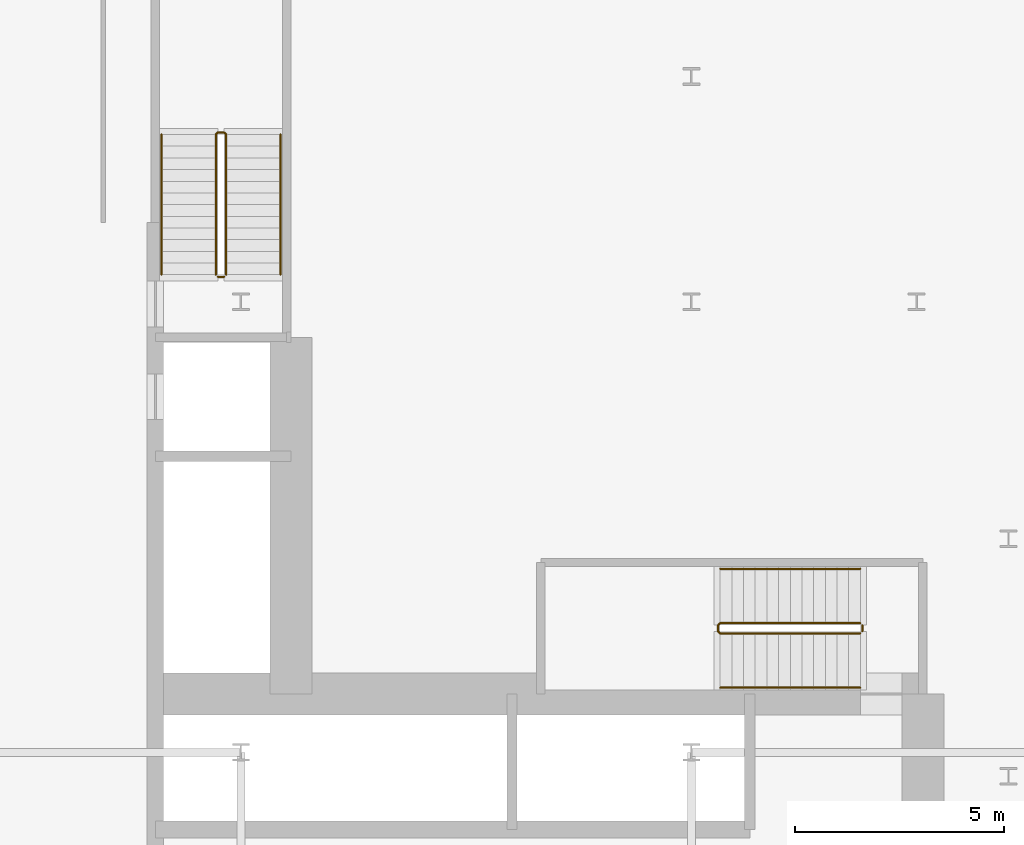
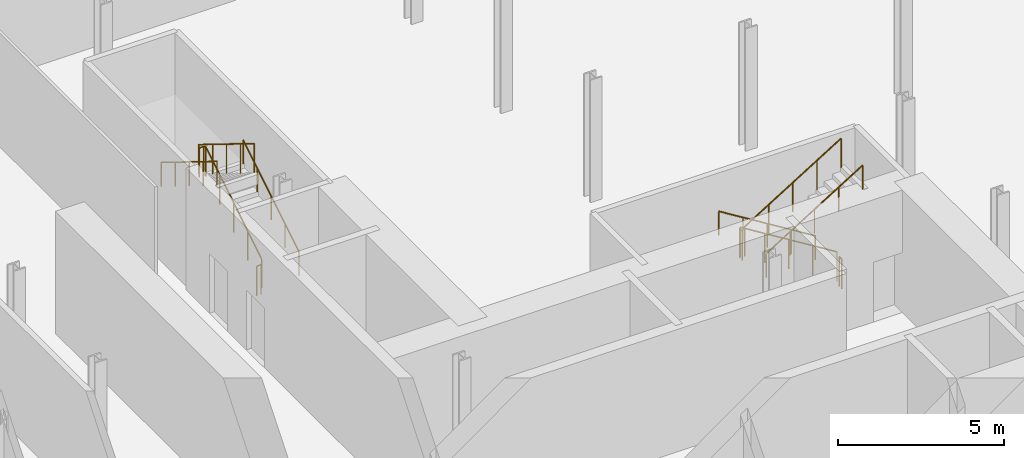
# One storey, part 40 of 47: 8 railings.
"""IFC4 building model written with IfcOpenShell, lengths in metres."""

from ifc_helpers import new_model, si_unit, direction, frame, origin, origin_2d, place, context, subcontext, project, spatial, circle, extrude, material, type_object, element, save


model = new_model("IFC4")

# Units and contexts
model_context = context("Model", 3, precision=1e-05, world=origin(), true_north=direction((0.0, 1.0)))
body_context = subcontext(model_context, "Body", "Model", "MODEL_VIEW")
ifc_project = project(units=[si_unit("LENGTHUNIT", "METRE"), si_unit("AREAUNIT", "SQUARE_METRE"), si_unit("VOLUMEUNIT", "CUBIC_METRE"), si_unit("PLANEANGLEUNIT", "RADIAN"), si_unit("MASSUNIT", "GRAM", prefix="KILO")], contexts=[model_context])

# Site, building, storey
site_placement = place(None, origin())
site = spatial("IfcSite", under=ifc_project, at=site_placement, CompositionType="ELEMENT")
building_placement = place(site_placement, origin())
building = spatial("IfcBuilding", under=site, at=building_placement, Name="Kheshtan School and Residences Tower", CompositionType="ELEMENT")
storey_placement = place(building_placement, frame((0.0, 0.0, 12.5)))
storey = spatial("IfcBuildingStorey", under=building, at=storey_placement, Name="L02", CompositionType="ELEMENT", Elevation=12.5)

# Railings
ifc_material_1 = material(Name="Stainless steel balustrade", Category="steel")
railing_type_1 = type_object("IfcRailingType", Name="Stair guard 1100", PredefinedType="GUARDRAIL", material=ifc_material_1)
railing_1_placement = place(storey_placement, frame((51.64990234375, 37.89990234375, 0.173095703125)))
element("IfcRailing", 1, at=railing_1_placement, inside=storey, type_object=railing_type_1, Name="L02 ST1 stair guard 1", PredefinedType="GUARDRAIL", context=body_context, shape_type="SweptSolid", body=[
    extrude(circle(Radius=0.02392578125, at=origin_2d()), frame((0.0, 0.0, 1.076171875), z_axis=(-0.850606129759, 0.0, 0.525803396734), x_axis=(0.0, -1.0, 0.0)), (0.0, 0.0, 1.0), 3.949951171875),
    extrude(circle(Radius=0.02392578125, at=origin_2d()), frame((-3.35986328125, 0.0, 3.15283203125), z_axis=(-0.708833529934, -0.705375805398, 0.0), x_axis=(0.705375805398, -0.708833529934, 0.0)), (0.0, 0.0, 1.0), 0.070556640625),
    extrude(circle(Radius=0.02392578125, at=origin_2d()), frame((-3.409912109375, -0.0498046875, 3.15283203125), z_axis=(0.0, -1.0, 0.0), x_axis=(1.0, 0.0, 0.0)), (0.0, 0.0, 1.0), 0.150146484375),
    extrude(circle(Radius=0.02392578125, at=origin_2d()), frame((-3.409912109375, -0.199951171875, 3.15283203125), z_axis=(0.267629722418, -0.267629722418, 0.925607186314), x_axis=(0.707106781187, 0.707106781187, 0.0)), (0.0, 0.0, 1.0), 0.18701171875),
    extrude(circle(Radius=0.02392578125, at=origin_2d()), frame((-3.35986328125, -0.25, 3.326171875), z_axis=(0.850606129759, 0.0, 0.525803396734), x_axis=(0.0, 1.0, 0.0)), (0.0, 0.0, 1.0), 3.949951171875),
    extrude(circle(Radius=0.02099609375, at=origin_2d()), origin(), (0.0, 0.0, 1.0), 1.052001953125),
    extrude(circle(Radius=0.02099609375, at=origin_2d()), frame((-0.83984375, 0.0, 0.519287109375)), (0.0, 0.0, 1.0), 1.052001953125),
    extrude(circle(Radius=0.02099609375, at=origin_2d()), frame((-1.679931640625, 0.0, 1.03857421875)), (0.0, 0.0, 1.0), 1.052001953125),
    extrude(circle(Radius=0.02099609375, at=origin_2d()), frame((-2.52001953125, 0.0, 1.5576171875)), (0.0, 0.0, 1.0), 1.052001953125),
    extrude(circle(Radius=0.02099609375, at=origin_2d()), frame((-3.35986328125, 0.0, 2.076904296875)), (0.0, 0.0, 1.0), 1.052001953125),
    extrude(circle(Radius=0.02099609375, at=origin_2d()), frame((-3.409912109375, -0.0498046875, 2.076904296875)), (0.0, 0.0, 1.0), 1.052001953125),
    extrude(circle(Radius=0.02099609375, at=origin_2d()), frame((-3.409912109375, -0.199951171875, 2.076904296875)), (0.0, 0.0, 1.0), 1.052001953125),
    extrude(circle(Radius=0.02099609375, at=origin_2d()), frame((-3.35986328125, -0.25, 2.25)), (0.0, 0.0, 1.0), 1.052001953125),
    extrude(circle(Radius=0.02099609375, at=origin_2d()), frame((-2.52001953125, -0.25, 2.769287109375)), (0.0, 0.0, 1.0), 1.052001953125),
    extrude(circle(Radius=0.02099609375, at=origin_2d()), frame((-1.679931640625, -0.25, 3.28857421875)), (0.0, 0.0, 1.0), 1.052001953125),
    extrude(circle(Radius=0.02099609375, at=origin_2d()), frame((-0.83984375, -0.25, 3.8076171875)), (0.0, 0.0, 1.0), 1.052001953125),
    extrude(circle(Radius=0.02099609375, at=origin_2d()), frame((0.0, -0.25, 4.326904296875)), (0.0, 0.0, 1.0), 1.052001953125),
])
railing_2_placement = place(storey_placement, frame((51.699951171875, 37.85009765625, 0.0)))
element("IfcRailing", 2, at=railing_2_placement, inside=storey, type_object=railing_type_1, Name="L02 ST1 stair guard 2", PredefinedType="GUARDRAIL", context=body_context, shape_type="SweptSolid", body=[
    extrude(circle(Radius=0.02392578125, at=origin_2d()), frame((0.0, 0.0, 1.076171875), z_axis=(0.0, -1.0, 0.0), x_axis=(1.0, 0.0, 0.0)), (0.0, 0.0, 1.0), 0.150146484375),
    extrude(circle(Radius=0.02099609375, at=origin_2d()), origin(), (0.0, 0.0, 1.0), 1.052001953125),
    extrude(circle(Radius=0.02099609375, at=origin_2d()), frame((0.0, -0.150146484375, 0.0)), (0.0, 0.0, 1.0), 1.052001953125),
])
railing_3_placement = place(storey_placement, frame((36.449951171875, 46.25, 0.173095703125)))
element("IfcRailing", 3, at=railing_3_placement, inside=storey, type_object=railing_type_1, Name="L02 ST2 stair guard 1", PredefinedType="GUARDRAIL", context=body_context, shape_type="SweptSolid", body=[
    extrude(circle(Radius=0.02392578125, at=origin_2d()), frame((0.0, 0.0, 1.076171875), z_axis=(0.0, 0.850623216509, 0.525775754039), x_axis=(-1.0, 0.0, 0.0)), (0.0, 0.0, 1.0), 3.9501953125),
    extrude(circle(Radius=0.02392578125, at=origin_2d()), frame((0.0, 3.360107421875, 3.15283203125), z_axis=(-0.708833529934, 0.705375805398, 0.0), x_axis=(-0.705375805398, -0.708833529934, 0.0)), (0.0, 0.0, 1.0), 0.070556640625),
    extrude(circle(Radius=0.02392578125, at=origin_2d()), frame((-0.050048828125, 3.409912109375, 3.15283203125), z_axis=(-1.0, 0.0, 0.0), x_axis=(0.0, -1.0, 0.0)), (0.0, 0.0, 1.0), 0.14990234375),
    extrude(circle(Radius=0.02392578125, at=origin_2d()), frame((-0.199951171875, 3.409912109375, 3.15283203125), z_axis=(-0.267723051232, -0.266417085129, 0.925929967433), x_axis=(0.705375805398, -0.708833529934, 0.0)), (0.0, 0.0, 1.0), 0.18701171875),
    extrude(circle(Radius=0.02392578125, at=origin_2d()), frame((-0.25, 3.360107421875, 3.326171875), z_axis=(0.0, -0.850623216509, 0.525775754039), x_axis=(1.0, 0.0, 0.0)), (0.0, 0.0, 1.0), 3.9501953125),
    extrude(circle(Radius=0.02099609375, at=origin_2d()), origin(), (0.0, 0.0, 1.0), 1.052001953125),
    extrude(circle(Radius=0.02099609375, at=origin_2d()), frame((0.0, 0.840087890625, 0.519287109375)), (0.0, 0.0, 1.0), 1.052001953125),
    extrude(circle(Radius=0.02099609375, at=origin_2d()), frame((0.0, 1.68017578125, 1.03857421875)), (0.0, 0.0, 1.0), 1.052001953125),
    extrude(circle(Radius=0.02099609375, at=origin_2d()), frame((0.0, 2.52001953125, 1.5576171875)), (0.0, 0.0, 1.0), 1.052001953125),
    extrude(circle(Radius=0.02099609375, at=origin_2d()), frame((0.0, 3.360107421875, 2.076904296875)), (0.0, 0.0, 1.0), 1.052001953125),
    extrude(circle(Radius=0.02099609375, at=origin_2d()), frame((-0.050048828125, 3.409912109375, 2.076904296875)), (0.0, 0.0, 1.0), 1.052001953125),
    extrude(circle(Radius=0.02099609375, at=origin_2d()), frame((-0.199951171875, 3.409912109375, 2.076904296875)), (0.0, 0.0, 1.0), 1.052001953125),
    extrude(circle(Radius=0.02099609375, at=origin_2d()), frame((-0.25, 3.360107421875, 2.25)), (0.0, 0.0, 1.0), 1.052001953125),
    extrude(circle(Radius=0.02099609375, at=origin_2d()), frame((-0.25, 2.52001953125, 2.769287109375)), (0.0, 0.0, 1.0), 1.052001953125),
    extrude(circle(Radius=0.02099609375, at=origin_2d()), frame((-0.25, 1.68017578125, 3.28857421875)), (0.0, 0.0, 1.0), 1.052001953125),
    extrude(circle(Radius=0.02099609375, at=origin_2d()), frame((-0.25, 0.840087890625, 3.8076171875)), (0.0, 0.0, 1.0), 1.052001953125),
    extrude(circle(Radius=0.02099609375, at=origin_2d()), frame((-0.25, 0.0, 4.326904296875)), (0.0, 0.0, 1.0), 1.052001953125),
])
railing_4_placement = place(storey_placement, frame((36.39990234375, 46.199951171875, 0.0)))
element("IfcRailing", 4, at=railing_4_placement, inside=storey, type_object=railing_type_1, Name="L02 ST2 stair guard 2", PredefinedType="GUARDRAIL", context=body_context, shape_type="SweptSolid", body=[
    extrude(circle(Radius=0.02392578125, at=origin_2d()), frame((0.0, 0.0, 1.076171875), z_axis=(-1.0, 0.0, 0.0), x_axis=(0.0, -1.0, 0.0)), (0.0, 0.0, 1.0), 0.14990234375),
    extrude(circle(Radius=0.02099609375, at=origin_2d()), origin(), (0.0, 0.0, 1.0), 1.052001953125),
    extrude(circle(Radius=0.02099609375, at=origin_2d()), frame((-0.14990234375, 0.0, 0.0)), (0.0, 0.0, 1.0), 1.052001953125),
])
ifc_material_2 = material(Name="Stainless steel handrail", Category="steel")
railing_type_2 = type_object("IfcRailingType", Name="Stair handrail 900", PredefinedType="HANDRAIL", material=ifc_material_2)
railing_5_placement = place(storey_placement, frame((51.64990234375, 39.199951171875, 0.173095703125)))
element("IfcRailing", 5, at=railing_5_placement, inside=storey, type_object=railing_type_2, Name="L02 ST1 stair handrail 1", PredefinedType="HANDRAIL", context=body_context, shape_type="SweptSolid", body=[
    extrude(circle(Radius=0.02392578125, at=origin_2d()), frame((0.0, 0.0, 0.8759765625), z_axis=(-0.850606129759, 0.0, 0.525803396734), x_axis=(0.0, -1.0, 0.0)), (0.0, 0.0, 1.0), 3.949951171875),
    extrude(circle(Radius=0.02099609375, at=origin_2d()), origin(), (0.0, 0.0, 1.0), 0.851806640625),
    extrude(circle(Radius=0.02099609375, at=origin_2d()), frame((-0.83984375, 0.0, 0.519287109375)), (0.0, 0.0, 1.0), 0.851806640625),
    extrude(circle(Radius=0.02099609375, at=origin_2d()), frame((-1.679931640625, 0.0, 1.03857421875)), (0.0, 0.0, 1.0), 0.851806640625),
    extrude(circle(Radius=0.02099609375, at=origin_2d()), frame((-2.52001953125, 0.0, 1.5576171875)), (0.0, 0.0, 1.0), 0.851806640625),
    extrude(circle(Radius=0.02099609375, at=origin_2d()), frame((-3.35986328125, 0.0, 2.076904296875)), (0.0, 0.0, 1.0), 0.851806640625),
])
railing_6_placement = place(storey_placement, frame((48.2900390625, 36.35009765625, 2.423095703125)))
element("IfcRailing", 6, at=railing_6_placement, inside=storey, type_object=railing_type_2, Name="L02 ST1 stair handrail 2", PredefinedType="HANDRAIL", context=body_context, shape_type="SweptSolid", body=[
    extrude(circle(Radius=0.02392578125, at=origin_2d()), frame((0.0, 0.0, 0.8759765625), z_axis=(0.850606129759, 0.0, 0.525803396734), x_axis=(0.0, 1.0, 0.0)), (0.0, 0.0, 1.0), 3.949951171875),
    extrude(circle(Radius=0.02099609375, at=origin_2d()), origin(), (0.0, 0.0, 1.0), 0.851806640625),
    extrude(circle(Radius=0.02099609375, at=origin_2d()), frame((0.83984375, 0.0, 0.519287109375)), (0.0, 0.0, 1.0), 0.851806640625),
    extrude(circle(Radius=0.02099609375, at=origin_2d()), frame((1.679931640625, 0.0, 1.03857421875)), (0.0, 0.0, 1.0), 0.851806640625),
    extrude(circle(Radius=0.02099609375, at=origin_2d()), frame((2.52001953125, 0.0, 1.5576171875)), (0.0, 0.0, 1.0), 0.851806640625),
    extrude(circle(Radius=0.02099609375, at=origin_2d()), frame((3.35986328125, 0.0, 2.076904296875)), (0.0, 0.0, 1.0), 0.851806640625),
])
railing_7_placement = place(storey_placement, frame((37.75, 46.25, 0.173095703125)))
element("IfcRailing", 7, at=railing_7_placement, inside=storey, type_object=railing_type_2, Name="L02 ST2 stair handrail 1", PredefinedType="HANDRAIL", context=body_context, shape_type="SweptSolid", body=[
    extrude(circle(Radius=0.02392578125, at=origin_2d()), frame((0.0, 0.0, 0.8759765625), z_axis=(0.0, 0.850623216509, 0.525775754039), x_axis=(-1.0, 0.0, 0.0)), (0.0, 0.0, 1.0), 3.9501953125),
    extrude(circle(Radius=0.02099609375, at=origin_2d()), origin(), (0.0, 0.0, 1.0), 0.851806640625),
    extrude(circle(Radius=0.02099609375, at=origin_2d()), frame((0.0, 0.840087890625, 0.519287109375)), (0.0, 0.0, 1.0), 0.851806640625),
    extrude(circle(Radius=0.02099609375, at=origin_2d()), frame((0.0, 1.68017578125, 1.03857421875)), (0.0, 0.0, 1.0), 0.851806640625),
    extrude(circle(Radius=0.02099609375, at=origin_2d()), frame((0.0, 2.52001953125, 1.5576171875)), (0.0, 0.0, 1.0), 0.851806640625),
    extrude(circle(Radius=0.02099609375, at=origin_2d()), frame((0.0, 3.360107421875, 2.076904296875)), (0.0, 0.0, 1.0), 0.851806640625),
])
railing_8_placement = place(storey_placement, frame((34.89990234375, 49.610107421875, 2.423095703125)))
element("IfcRailing", 8, at=railing_8_placement, inside=storey, type_object=railing_type_2, Name="L02 ST2 stair handrail 2", PredefinedType="HANDRAIL", context=body_context, shape_type="SweptSolid", body=[
    extrude(circle(Radius=0.02392578125, at=origin_2d()), frame((0.0, 0.0, 0.8759765625), z_axis=(0.0, -0.850623216509, 0.525775754039), x_axis=(1.0, 0.0, 0.0)), (0.0, 0.0, 1.0), 3.9501953125),
    extrude(circle(Radius=0.02099609375, at=origin_2d()), origin(), (0.0, 0.0, 1.0), 0.851806640625),
    extrude(circle(Radius=0.02099609375, at=origin_2d()), frame((0.0, -0.840087890625, 0.519287109375)), (0.0, 0.0, 1.0), 0.851806640625),
    extrude(circle(Radius=0.02099609375, at=origin_2d()), frame((0.0, -1.68017578125, 1.03857421875)), (0.0, 0.0, 1.0), 0.851806640625),
    extrude(circle(Radius=0.02099609375, at=origin_2d()), frame((0.0, -2.52001953125, 1.5576171875)), (0.0, 0.0, 1.0), 0.851806640625),
    extrude(circle(Radius=0.02099609375, at=origin_2d()), frame((0.0, -3.360107421875, 2.076904296875)), (0.0, 0.0, 1.0), 0.851806640625),
])

save(model, "model.ifc")
